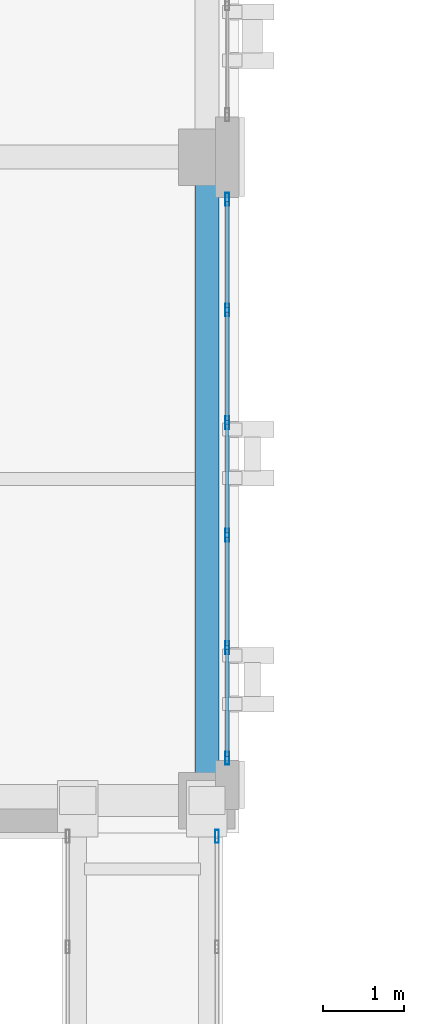
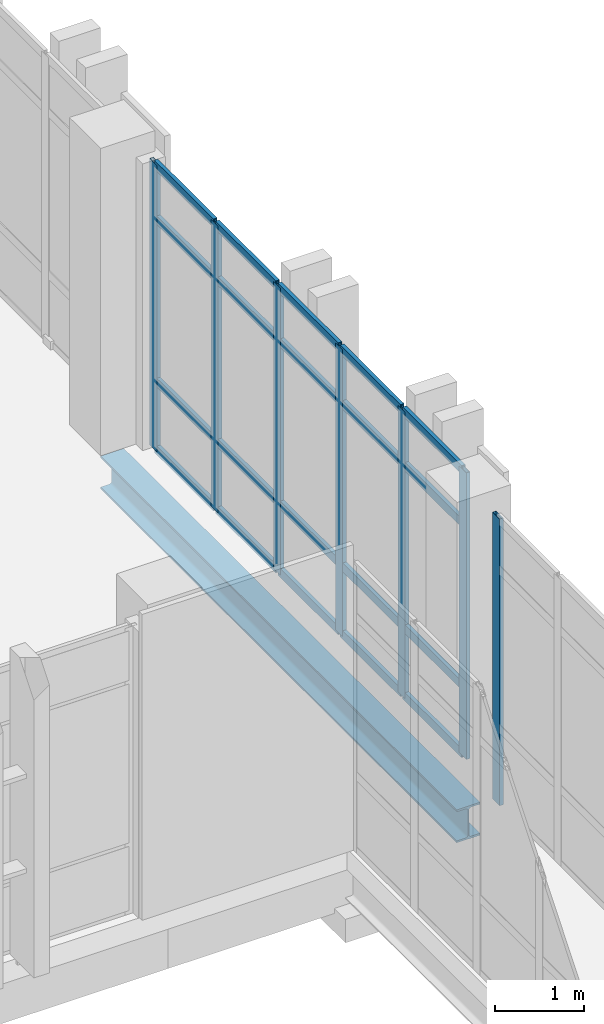
# One storey, part 26 of 165: 27 members, 1 beam, 2 elements without a shape of their own.
"""IFC4 building model written with IfcOpenShell, lengths in metres."""

from ifc_helpers import new_model, si_unit, direction, frame, origin, origin_2d, place, context, subcontext, project, spatial, hollow_rectangle, i_section, extrude, material, layer, layer_set, material_profile, profile_set, type_object, element, aggregate, save


model = new_model("IFC4")

# Units and contexts
model_context = context("Model", 3, precision=1e-05, world=origin(), true_north=direction((0.0, 1.0)))
body_context = subcontext(model_context, "Body", "Model", "MODEL_VIEW")
ifc_project = project(units=[si_unit("LENGTHUNIT", "METRE"), si_unit("AREAUNIT", "SQUARE_METRE"), si_unit("VOLUMEUNIT", "CUBIC_METRE"), si_unit("PLANEANGLEUNIT", "RADIAN"), si_unit("MASSUNIT", "GRAM", prefix="KILO")], contexts=[model_context])

# Site, building, storey
site_placement = place(None, origin())
site = spatial("IfcSite", under=ifc_project, at=site_placement, CompositionType="ELEMENT")
building_placement = place(site_placement, origin())
building = spatial("IfcBuilding", under=site, at=building_placement, Name="Qalavern Law Courts", CompositionType="ELEMENT")
storey_placement = place(building_placement, frame((0.0, 0.0, 14.39990234375)))
storey = spatial("IfcBuildingStorey", under=building, at=storey_placement, Name="L03", CompositionType="ELEMENT", Elevation=14.39990234375)

# Curtain wall, members
ifc_material_1 = material(Name="Anodised aluminium and insulated glazing", Category="aluminium")
ifc_layer_1 = layer(ifc_material_1, 0.172119140625)
ifc_layer_set_1 = layer_set([ifc_layer_1], Name="Anodised aluminium and insulated glazing")
curtain_wall_type_1 = type_object("IfcCurtainWallType", Name="ENV-CW-COURT", PredefinedType="USERDEFINED", material=ifc_layer_set_1)
curtain_wall_1_placement = place(storey_placement, origin())
curtain_wall_1 = element("IfcCurtainWall", 1, at=curtain_wall_1_placement, inside=storey, type_object=curtain_wall_type_1, Name="V3 unitised curtain wall L03 east 1", ObjectType="UNITISED CURTAIN WALL", PredefinedType="USERDEFINED")
ifc_material_2 = material(Name="Anodised aluminium", Category="aluminium")
ifc_material_profile_1 = material_profile(ifc_material_2, hollow_rectangle(XDim=0.048095703125, YDim=0.159912109375, WallThickness=0.00390625, at=origin_2d()), Name="ALU MULLION 48x160")
ifc_profile_set_1 = profile_set([ifc_material_profile_1], Name="Anodised aluminium")
member_type_1 = type_object("IfcMemberType", Name="ENV-CWM-48x160", PredefinedType="MULLION", material=ifc_profile_set_1)
member_1_placement = place(storey_placement, frame((18.652587890625, 41.944091796875, 0.0), z_axis=(0.0, 0.0, 1.0), x_axis=(-1.0, 0.0, 0.0)))
member_1 = element("IfcMember", 2, at=member_1_placement, type_object=member_type_1, Name="CW-03 mullion 1", PredefinedType="MULLION", context=body_context, shape_type="SweptSolid", body=[
    extrude(hollow_rectangle(XDim=0.048095703125, YDim=0.159912109375, WallThickness=0.00390625, at=origin_2d()), origin(), (0.0, 0.0, 1.0), 3.920166015625),
])
member_2_placement = place(storey_placement, frame((18.652587890625, 43.31591796875, 0.0), z_axis=(0.0, 0.0, 1.0), x_axis=(-1.0, 0.0, 0.0)))
member_2 = element("IfcMember", 3, at=member_2_placement, type_object=member_type_1, Name="CW-03 mullion 2", PredefinedType="MULLION", context=body_context, shape_type="SweptSolid", body=[
    extrude(hollow_rectangle(XDim=0.048095703125, YDim=0.159912109375, WallThickness=0.00390625, at=origin_2d()), origin(), (0.0, 0.0, 1.0), 3.920166015625),
])
member_3_placement = place(storey_placement, frame((18.652587890625, 44.7119140625, 0.0), z_axis=(0.0, 0.0, 1.0), x_axis=(-1.0, 0.0, 0.0)))
member_3 = element("IfcMember", 4, at=member_3_placement, type_object=member_type_1, Name="CW-03 mullion 3", PredefinedType="MULLION", context=body_context, shape_type="SweptSolid", body=[
    extrude(hollow_rectangle(XDim=0.048095703125, YDim=0.159912109375, WallThickness=0.00390625, at=origin_2d()), origin(), (0.0, 0.0, 1.0), 3.920166015625),
])
member_4_placement = place(storey_placement, frame((18.652587890625, 46.10791015625, 0.0), z_axis=(0.0, 0.0, 1.0), x_axis=(-1.0, 0.0, 0.0)))
member_4 = element("IfcMember", 5, at=member_4_placement, type_object=member_type_1, Name="CW-03 mullion 4", PredefinedType="MULLION", context=body_context, shape_type="SweptSolid", body=[
    extrude(hollow_rectangle(XDim=0.048095703125, YDim=0.159912109375, WallThickness=0.00390625, at=origin_2d()), origin(), (0.0, 0.0, 1.0), 3.920166015625),
])
member_5_placement = place(storey_placement, frame((18.652587890625, 47.50390625, 0.0), z_axis=(0.0, 0.0, 1.0), x_axis=(-1.0, 0.0, 0.0)))
member_5 = element("IfcMember", 6, at=member_5_placement, type_object=member_type_1, Name="CW-03 mullion 5", PredefinedType="MULLION", context=body_context, shape_type="SweptSolid", body=[
    extrude(hollow_rectangle(XDim=0.048095703125, YDim=0.159912109375, WallThickness=0.00390625, at=origin_2d()), origin(), (0.0, 0.0, 1.0), 3.920166015625),
])
member_6_placement = place(storey_placement, frame((18.652587890625, 48.8759765625, 0.0), z_axis=(0.0, 0.0, 1.0), x_axis=(-1.0, 0.0, 0.0)))
member_6 = element("IfcMember", 7, at=member_6_placement, type_object=member_type_1, Name="CW-03 mullion 6", PredefinedType="MULLION", context=body_context, shape_type="SweptSolid", body=[
    extrude(hollow_rectangle(XDim=0.048095703125, YDim=0.159912109375, WallThickness=0.00390625, at=origin_2d()), origin(), (0.0, 0.0, 1.0), 3.920166015625),
])

# Curtain wall, member
ifc_layer_2 = layer(ifc_material_1, 0.14990234375)
ifc_layer_set_2 = layer_set([ifc_layer_2], Name="Anodised aluminium and insulated glazing")
curtain_wall_type_2 = type_object("IfcCurtainWallType", Name="ENV-CW-BRG", PredefinedType="USERDEFINED", material=ifc_layer_set_2)
curtain_wall_2_placement = place(storey_placement, origin())
curtain_wall_2 = element("IfcCurtainWall", 8, at=curtain_wall_2_placement, inside=storey, type_object=curtain_wall_type_2, Name="Bridge BR-V1-V3 glazed curtain wall L03-2", ObjectType="UNITISED CURTAIN WALL", PredefinedType="USERDEFINED")
member_7_placement = place(storey_placement, frame((18.52490234375, 40.97607421875, 0.0), z_axis=(0.0, 0.0, 1.0), x_axis=(-1.0, 0.0, 0.0)))
member_7 = element("IfcMember", 9, at=member_7_placement, type_object=member_type_1, Name="CW-06 mullion 6", PredefinedType="MULLION", context=body_context, shape_type="SweptSolid", body=[
    extrude(hollow_rectangle(XDim=0.048095703125, YDim=0.159912109375, WallThickness=0.00390625, at=origin_2d()), origin(), (0.0, 0.0, 1.0), 3.920166015625),
])
aggregate(curtain_wall_2, [member_7])

# Member
ifc_material_profile_2 = material_profile(ifc_material_2, hollow_rectangle(XDim=0.048095703125, YDim=0.1201171875, WallThickness=0.00390625, at=origin_2d()), Name="ALU TRANSOM 48x120")
ifc_profile_set_2 = profile_set([ifc_material_profile_2], Name="Anodised aluminium")
member_type_2 = type_object("IfcMemberType", Name="ENV-CWT-48x120", PredefinedType="USERDEFINED", material=ifc_profile_set_2)
member_8_placement = place(storey_placement, frame((18.652587890625, 41.968017578125, 0.024169921875), z_axis=(0.0, 1.0, 0.0), x_axis=(-1.0, 0.0, 0.0)))
member_8 = element("IfcMember", 10, at=member_8_placement, type_object=member_type_2, Name="CW-03 transom 1.1", ObjectType="TRANSOM", PredefinedType="USERDEFINED", context=body_context, shape_type="SweptSolid", body=[
    extrude(hollow_rectangle(XDim=0.048095703125, YDim=0.1201171875, WallThickness=0.00390625, at=origin_2d()), origin(), (0.0, 0.0, 1.0), 1.323974609375),
])

member_9_placement = place(storey_placement, frame((18.652587890625, 41.968017578125, 0.9501953125), z_axis=(0.0, 1.0, 0.0), x_axis=(-1.0, 0.0, 0.0)))
member_9 = element("IfcMember", 11, at=member_9_placement, type_object=member_type_2, Name="CW-03 transom 1.2", ObjectType="TRANSOM", PredefinedType="USERDEFINED", context=body_context, shape_type="SweptSolid", body=[
    extrude(hollow_rectangle(XDim=0.048095703125, YDim=0.1201171875, WallThickness=0.00390625, at=origin_2d()), origin(), (0.0, 0.0, 1.0), 1.323974609375),
])

member_10_placement = place(storey_placement, frame((18.652587890625, 41.968017578125, 3.170166015625), z_axis=(0.0, 1.0, 0.0), x_axis=(-1.0, 0.0, 0.0)))
member_10 = element("IfcMember", 12, at=member_10_placement, type_object=member_type_2, Name="CW-03 transom 1.3", ObjectType="TRANSOM", PredefinedType="USERDEFINED", context=body_context, shape_type="SweptSolid", body=[
    extrude(hollow_rectangle(XDim=0.048095703125, YDim=0.1201171875, WallThickness=0.00390625, at=origin_2d()), origin(), (0.0, 0.0, 1.0), 1.323974609375),
])

member_11_placement = place(storey_placement, frame((18.652587890625, 41.968017578125, 3.89599609375), z_axis=(0.0, 1.0, 0.0), x_axis=(-1.0, 0.0, 0.0)))
member_11 = element("IfcMember", 13, at=member_11_placement, type_object=member_type_2, Name="CW-03 transom 1.4", ObjectType="TRANSOM", PredefinedType="USERDEFINED", context=body_context, shape_type="SweptSolid", body=[
    extrude(hollow_rectangle(XDim=0.048095703125, YDim=0.1201171875, WallThickness=0.00390625, at=origin_2d()), origin(), (0.0, 0.0, 1.0), 1.323974609375),
])

member_12_placement = place(storey_placement, frame((18.652587890625, 43.340087890625, 0.024169921875), z_axis=(0.0, 1.0, 0.0), x_axis=(-1.0, 0.0, 0.0)))
member_12 = element("IfcMember", 14, at=member_12_placement, type_object=member_type_2, Name="CW-03 transom 2.1", ObjectType="TRANSOM", PredefinedType="USERDEFINED", context=body_context, shape_type="SweptSolid", body=[
    extrude(hollow_rectangle(XDim=0.048095703125, YDim=0.1201171875, WallThickness=0.00390625, at=origin_2d()), origin(), (0.0, 0.0, 1.0), 1.347900390625),
])

member_13_placement = place(storey_placement, frame((18.652587890625, 43.340087890625, 0.9501953125), z_axis=(0.0, 1.0, 0.0), x_axis=(-1.0, 0.0, 0.0)))
member_13 = element("IfcMember", 15, at=member_13_placement, type_object=member_type_2, Name="CW-03 transom 2.2", ObjectType="TRANSOM", PredefinedType="USERDEFINED", context=body_context, shape_type="SweptSolid", body=[
    extrude(hollow_rectangle(XDim=0.048095703125, YDim=0.1201171875, WallThickness=0.00390625, at=origin_2d()), origin(), (0.0, 0.0, 1.0), 1.347900390625),
])

member_14_placement = place(storey_placement, frame((18.652587890625, 43.340087890625, 3.170166015625), z_axis=(0.0, 1.0, 0.0), x_axis=(-1.0, 0.0, 0.0)))
member_14 = element("IfcMember", 16, at=member_14_placement, type_object=member_type_2, Name="CW-03 transom 2.3", ObjectType="TRANSOM", PredefinedType="USERDEFINED", context=body_context, shape_type="SweptSolid", body=[
    extrude(hollow_rectangle(XDim=0.048095703125, YDim=0.1201171875, WallThickness=0.00390625, at=origin_2d()), origin(), (0.0, 0.0, 1.0), 1.347900390625),
])

member_15_placement = place(storey_placement, frame((18.652587890625, 43.340087890625, 3.89599609375), z_axis=(0.0, 1.0, 0.0), x_axis=(-1.0, 0.0, 0.0)))
member_15 = element("IfcMember", 17, at=member_15_placement, type_object=member_type_2, Name="CW-03 transom 2.4", ObjectType="TRANSOM", PredefinedType="USERDEFINED", context=body_context, shape_type="SweptSolid", body=[
    extrude(hollow_rectangle(XDim=0.048095703125, YDim=0.1201171875, WallThickness=0.00390625, at=origin_2d()), origin(), (0.0, 0.0, 1.0), 1.347900390625),
])

member_16_placement = place(storey_placement, frame((18.652587890625, 44.736083984375, 0.024169921875), z_axis=(0.0, 1.0, 0.0), x_axis=(-1.0, 0.0, 0.0)))
member_16 = element("IfcMember", 18, at=member_16_placement, type_object=member_type_2, Name="CW-03 transom 3.1", ObjectType="TRANSOM", PredefinedType="USERDEFINED", context=body_context, shape_type="SweptSolid", body=[
    extrude(hollow_rectangle(XDim=0.048095703125, YDim=0.1201171875, WallThickness=0.00390625, at=origin_2d()), origin(), (0.0, 0.0, 1.0), 1.347900390625),
])

member_17_placement = place(storey_placement, frame((18.652587890625, 44.736083984375, 0.9501953125), z_axis=(0.0, 1.0, 0.0), x_axis=(-1.0, 0.0, 0.0)))
member_17 = element("IfcMember", 19, at=member_17_placement, type_object=member_type_2, Name="CW-03 transom 3.2", ObjectType="TRANSOM", PredefinedType="USERDEFINED", context=body_context, shape_type="SweptSolid", body=[
    extrude(hollow_rectangle(XDim=0.048095703125, YDim=0.1201171875, WallThickness=0.00390625, at=origin_2d()), origin(), (0.0, 0.0, 1.0), 1.347900390625),
])

member_18_placement = place(storey_placement, frame((18.652587890625, 44.736083984375, 3.170166015625), z_axis=(0.0, 1.0, 0.0), x_axis=(-1.0, 0.0, 0.0)))
member_18 = element("IfcMember", 20, at=member_18_placement, type_object=member_type_2, Name="CW-03 transom 3.3", ObjectType="TRANSOM", PredefinedType="USERDEFINED", context=body_context, shape_type="SweptSolid", body=[
    extrude(hollow_rectangle(XDim=0.048095703125, YDim=0.1201171875, WallThickness=0.00390625, at=origin_2d()), origin(), (0.0, 0.0, 1.0), 1.347900390625),
])

member_19_placement = place(storey_placement, frame((18.652587890625, 44.736083984375, 3.89599609375), z_axis=(0.0, 1.0, 0.0), x_axis=(-1.0, 0.0, 0.0)))
member_19 = element("IfcMember", 21, at=member_19_placement, type_object=member_type_2, Name="CW-03 transom 3.4", ObjectType="TRANSOM", PredefinedType="USERDEFINED", context=body_context, shape_type="SweptSolid", body=[
    extrude(hollow_rectangle(XDim=0.048095703125, YDim=0.1201171875, WallThickness=0.00390625, at=origin_2d()), origin(), (0.0, 0.0, 1.0), 1.347900390625),
])

member_20_placement = place(storey_placement, frame((18.652587890625, 46.132080078125, 0.024169921875), z_axis=(0.0, 1.0, 0.0), x_axis=(-1.0, 0.0, 0.0)))
member_20 = element("IfcMember", 22, at=member_20_placement, type_object=member_type_2, Name="CW-03 transom 4.1", ObjectType="TRANSOM", PredefinedType="USERDEFINED", context=body_context, shape_type="SweptSolid", body=[
    extrude(hollow_rectangle(XDim=0.048095703125, YDim=0.1201171875, WallThickness=0.00390625, at=origin_2d()), origin(), (0.0, 0.0, 1.0), 1.347900390625),
])

member_21_placement = place(storey_placement, frame((18.652587890625, 46.132080078125, 0.9501953125), z_axis=(0.0, 1.0, 0.0), x_axis=(-1.0, 0.0, 0.0)))
member_21 = element("IfcMember", 23, at=member_21_placement, type_object=member_type_2, Name="CW-03 transom 4.2", ObjectType="TRANSOM", PredefinedType="USERDEFINED", context=body_context, shape_type="SweptSolid", body=[
    extrude(hollow_rectangle(XDim=0.048095703125, YDim=0.1201171875, WallThickness=0.00390625, at=origin_2d()), origin(), (0.0, 0.0, 1.0), 1.347900390625),
])

member_22_placement = place(storey_placement, frame((18.652587890625, 46.132080078125, 3.170166015625), z_axis=(0.0, 1.0, 0.0), x_axis=(-1.0, 0.0, 0.0)))
member_22 = element("IfcMember", 24, at=member_22_placement, type_object=member_type_2, Name="CW-03 transom 4.3", ObjectType="TRANSOM", PredefinedType="USERDEFINED", context=body_context, shape_type="SweptSolid", body=[
    extrude(hollow_rectangle(XDim=0.048095703125, YDim=0.1201171875, WallThickness=0.00390625, at=origin_2d()), origin(), (0.0, 0.0, 1.0), 1.347900390625),
])

member_23_placement = place(storey_placement, frame((18.652587890625, 46.132080078125, 3.89599609375), z_axis=(0.0, 1.0, 0.0), x_axis=(-1.0, 0.0, 0.0)))
member_23 = element("IfcMember", 25, at=member_23_placement, type_object=member_type_2, Name="CW-03 transom 4.4", ObjectType="TRANSOM", PredefinedType="USERDEFINED", context=body_context, shape_type="SweptSolid", body=[
    extrude(hollow_rectangle(XDim=0.048095703125, YDim=0.1201171875, WallThickness=0.00390625, at=origin_2d()), origin(), (0.0, 0.0, 1.0), 1.347900390625),
])

member_24_placement = place(storey_placement, frame((18.652587890625, 47.528076171875, 0.024169921875), z_axis=(0.0, 1.0, 0.0), x_axis=(-1.0, 0.0, 0.0)))
member_24 = element("IfcMember", 26, at=member_24_placement, type_object=member_type_2, Name="CW-03 transom 5.1", ObjectType="TRANSOM", PredefinedType="USERDEFINED", context=body_context, shape_type="SweptSolid", body=[
    extrude(hollow_rectangle(XDim=0.048095703125, YDim=0.1201171875, WallThickness=0.00390625, at=origin_2d()), origin(), (0.0, 0.0, 1.0), 1.323974609375),
])

member_25_placement = place(storey_placement, frame((18.652587890625, 47.528076171875, 0.9501953125), z_axis=(0.0, 1.0, 0.0), x_axis=(-1.0, 0.0, 0.0)))
member_25 = element("IfcMember", 27, at=member_25_placement, type_object=member_type_2, Name="CW-03 transom 5.2", ObjectType="TRANSOM", PredefinedType="USERDEFINED", context=body_context, shape_type="SweptSolid", body=[
    extrude(hollow_rectangle(XDim=0.048095703125, YDim=0.1201171875, WallThickness=0.00390625, at=origin_2d()), origin(), (0.0, 0.0, 1.0), 1.323974609375),
])

member_26_placement = place(storey_placement, frame((18.652587890625, 47.528076171875, 3.170166015625), z_axis=(0.0, 1.0, 0.0), x_axis=(-1.0, 0.0, 0.0)))
member_26 = element("IfcMember", 28, at=member_26_placement, type_object=member_type_2, Name="CW-03 transom 5.3", ObjectType="TRANSOM", PredefinedType="USERDEFINED", context=body_context, shape_type="SweptSolid", body=[
    extrude(hollow_rectangle(XDim=0.048095703125, YDim=0.1201171875, WallThickness=0.00390625, at=origin_2d()), origin(), (0.0, 0.0, 1.0), 1.323974609375),
])

member_27_placement = place(storey_placement, frame((18.652587890625, 47.528076171875, 3.89599609375), z_axis=(0.0, 1.0, 0.0), x_axis=(-1.0, 0.0, 0.0)))
member_27 = element("IfcMember", 29, at=member_27_placement, type_object=member_type_2, Name="CW-03 transom 5.4", ObjectType="TRANSOM", PredefinedType="USERDEFINED", context=body_context, shape_type="SweptSolid", body=[
    extrude(hollow_rectangle(XDim=0.048095703125, YDim=0.1201171875, WallThickness=0.00390625, at=origin_2d()), origin(), (0.0, 0.0, 1.0), 1.323974609375),
])

aggregate(curtain_wall_1, [member_1, member_2, member_3, member_4, member_5, member_6, member_8, member_9, member_10, member_11, member_12, member_13, member_14, member_15, member_16, member_17, member_18, member_19, member_20, member_21, member_22, member_23, member_24, member_25, member_26, member_27])

# Beam
ifc_material_3 = material(Name="Steel S355", Category="steel")
ifc_material_profile_3 = material_profile(ifc_material_3, i_section(OverallWidth=0.300048828125, OverallDepth=0.449951171875, WebThickness=0.013916015625, FlangeThickness=0.02587890625, FilletRadius=0.027099609375, at=origin_2d()), Name="HEB 450")
ifc_profile_set_3 = profile_set([ifc_material_profile_3], Name="Steel S355")
beam_type = type_object("IfcBeamType", Name="STR-SP-HEB450", PredefinedType="SPANDREL", material=ifc_profile_set_3)
beam_placement = place(storey_placement, frame((18.39990234375, 41.419921875, -0.510009765625), z_axis=(0.0, 1.0, 0.0), x_axis=(-1.0, 0.0, 0.0)))
element("IfcBeam", 30, at=beam_placement, inside=storey, type_object=beam_type, Name="V3 Y-beam 3-1 L03", PredefinedType="SPANDREL", context=body_context, shape_type="SweptSolid", body=[
    extrude(i_section(OverallWidth=0.300048828125, OverallDepth=0.449951171875, WebThickness=0.013916015625, FlangeThickness=0.02587890625, FilletRadius=0.027099609375, at=origin_2d()), origin(), (0.0, 0.0, 1.0), 7.97998046875),
])

save(model, "model.ifc")
